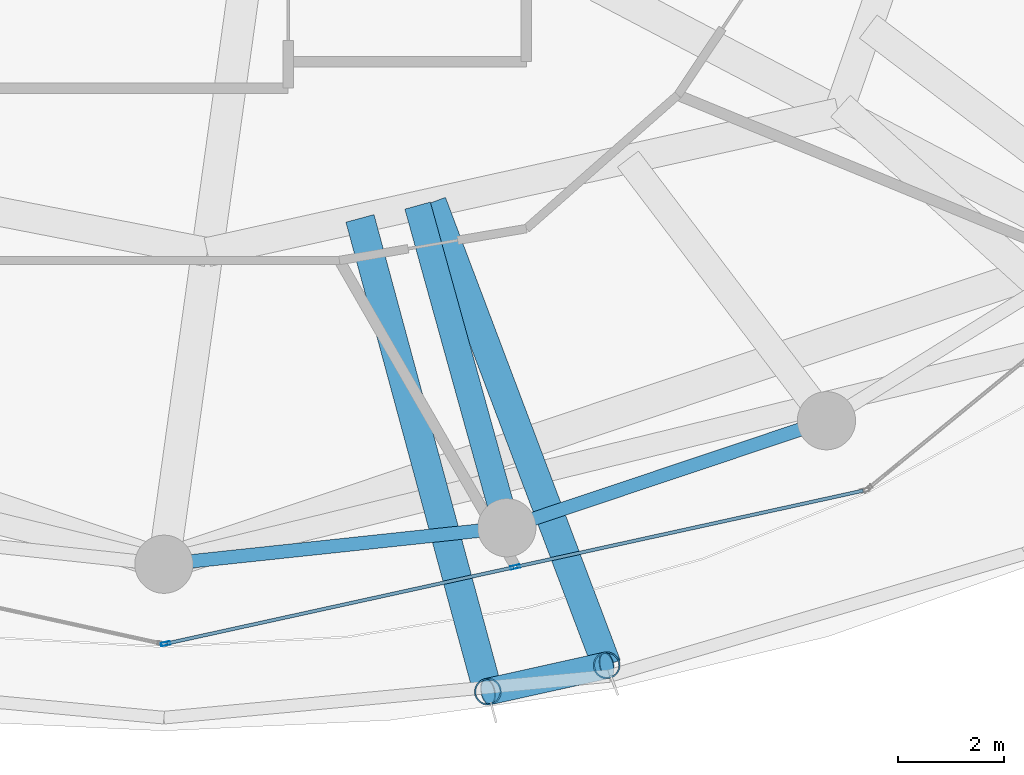
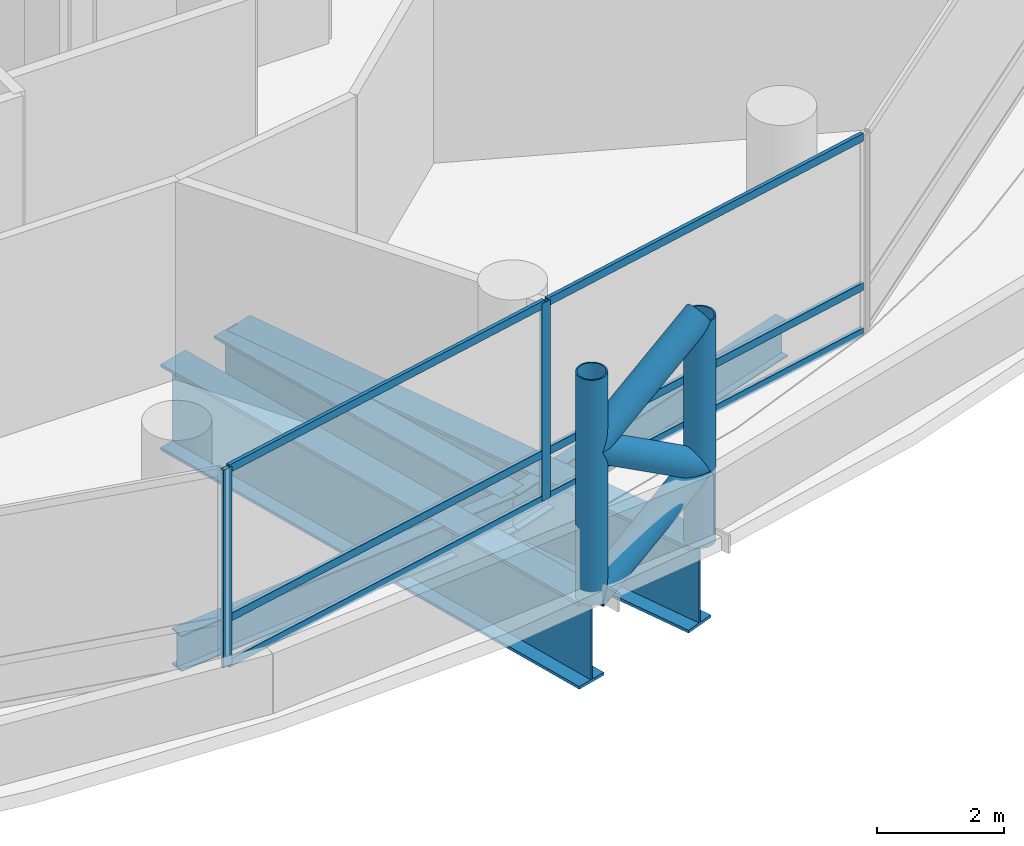
# One storey, part 10 of 37: 13 members, 5 beams, 1 element without a shape of its own.
"""IFC4 building model written with IfcOpenShell, lengths in metres."""

from ifc_helpers import new_model, si_unit, direction, frame, origin, origin_2d, place, context, subcontext, project, spatial, hollow_rectangle, hollow_circle, i_section, extrude, material, layer, layer_set, material_profile, profile_set, type_object, element, aggregate, save


model = new_model("IFC4")

# Units and contexts
model_context = context("Model", 3, precision=1e-05, world=origin(), true_north=direction((0.0, 1.0)))
body_context = subcontext(model_context, "Body", "Model", "MODEL_VIEW")
ifc_project = project(units=[si_unit("LENGTHUNIT", "METRE"), si_unit("AREAUNIT", "SQUARE_METRE"), si_unit("VOLUMEUNIT", "CUBIC_METRE"), si_unit("PLANEANGLEUNIT", "RADIAN"), si_unit("MASSUNIT", "GRAM", prefix="KILO")], contexts=[model_context])

# Site, building, storey
site_placement = place(None, origin())
site = spatial("IfcSite", under=ifc_project, at=site_placement, CompositionType="ELEMENT")
building_placement = place(site_placement, origin())
building = spatial("IfcBuilding", under=site, at=building_placement, Name="Nuhasar Tower", CompositionType="ELEMENT")
storey_placement = place(building_placement, frame((0.0, 0.0, 21.0)))
storey = spatial("IfcBuildingStorey", under=building, at=storey_placement, Name="L04", CompositionType="ELEMENT", Elevation=21.0)

# Beams
ifc_material_1 = material(Name="Steel S355", Category="steel")
ifc_material_profile_1 = material_profile(ifc_material_1, i_section(OverallWidth=0.256103515625, OverallDepth=0.693115234375, WebThickness=0.014404296875, FlangeThickness=0.023681640625, at=origin_2d()), Name="W27X114")
ifc_profile_set_1 = profile_set([ifc_material_profile_1], Name="Steel S355")
beam_type_1 = type_object("IfcBeamType", Name="BM-RING-W27X114", PredefinedType="SPANDREL", material=ifc_profile_set_1)
beam_1_placement = place(storey_placement, frame((39.0, 6.550048828125, -0.60693359375), z_axis=(0.994384554061, 0.105827022286, 0.0), x_axis=(-0.105827022286, 0.994384554061, 0.0)))
element("IfcBeam", 1, at=beam_1_placement, inside=storey, type_object=beam_type_1, Name="L04 Perimeter Ring Spandrel 19", PredefinedType="SPANDREL", context=body_context, shape_type="SweptSolid", body=[
    extrude(i_section(OverallWidth=0.256103515625, OverallDepth=0.693115234375, WebThickness=0.014404296875, FlangeThickness=0.023681640625, at=origin_2d()), origin(), (0.0, 0.0, 1.0), 6.51953125),
])
beam_2_placement = place(storey_placement, frame((45.48291015625, 7.239990234375, -0.60693359375), z_axis=(0.94826097201, 0.317491935271, 0.0), x_axis=(-0.317491935271, 0.94826097201, 0.0)))
element("IfcBeam", 2, at=beam_2_placement, inside=storey, type_object=beam_type_1, Name="L04 Perimeter Ring Spandrel 20", PredefinedType="SPANDREL", context=body_context, shape_type="SweptSolid", body=[
    extrude(i_section(OverallWidth=0.256103515625, OverallDepth=0.693115234375, WebThickness=0.014404296875, FlangeThickness=0.023681640625, at=origin_2d()), origin(), (0.0, 0.0, 1.0), 6.37158203125),
])
ifc_material_2 = material(Name="Steel S460", Category="steel")
ifc_material_profile_2 = material_profile(ifc_material_2, i_section(OverallWidth=0.5, OverallDepth=1.449951171875, WebThickness=0.028076171875, FlangeThickness=0.050048828125, at=origin_2d()), Name="PG1450X500")
ifc_profile_set_2 = profile_set([ifc_material_profile_2], Name="Steel S460")
beam_type_2 = type_object("IfcBeamType", Name="BM-XFER-PG1450", PredefinedType="USERDEFINED", material=ifc_profile_set_2)
beam_3_placement = place(storey_placement, frame((43.7958984375, 13.330078125, -0.985107421875), z_axis=(0.266956365785, -0.963708617149, 0.0), x_axis=(0.963708617149, 0.266956365785, 0.0)))
element("IfcBeam", 3, at=beam_3_placement, inside=storey, type_object=beam_type_2, Name="L04 Inner Column Transfer Girder 20", ObjectType="GIRDER", PredefinedType="USERDEFINED", context=body_context, shape_type="SweptSolid", body=[
    extrude(i_section(OverallWidth=0.5, OverallDepth=1.449951171875, WebThickness=0.028076171875, FlangeThickness=0.050048828125, at=origin_2d()), origin(), (0.0, 0.0, 1.0), 6.3193359375),
])
ifc_material_profile_3 = material_profile(ifc_material_2, i_section(OverallWidth=0.550048828125, OverallDepth=1.64990234375, WebThickness=0.031982421875, FlangeThickness=0.054931640625, at=origin_2d()), Name="PG1650X550")
ifc_profile_set_3 = profile_set([ifc_material_profile_3], Name="Steel S460")
beam_type_3 = type_object("IfcBeamType", Name="BM-XFER-PG1650", PredefinedType="USERDEFINED", material=ifc_profile_set_3)
beam_4_placement = place(storey_placement, frame((42.7060546875, 13.087890625, -1.0849609375), z_axis=(0.260901063057, -0.965365544908, 0.0), x_axis=(0.965365544908, 0.260901063057, 0.0)))
element("IfcBeam", 4, at=beam_4_placement, inside=storey, type_object=beam_type_3, Name="L04 Exoskeleton Base Transfer Girder 19", ObjectType="GIRDER", PredefinedType="USERDEFINED", context=body_context, shape_type="SweptSolid", body=[
    extrude(i_section(OverallWidth=0.550048828125, OverallDepth=1.64990234375, WebThickness=0.031982421875, FlangeThickness=0.054931640625, at=origin_2d()), origin(), (0.0, 0.0, 1.0), 9.267822265625),
])
beam_5_placement = place(storey_placement, frame((44.06494140625, 13.388916015625, -1.0849609375), z_axis=(0.353399553427, -0.935472477221, 0.0), x_axis=(0.935472477221, 0.353399553427, 0.0)))
element("IfcBeam", 5, at=beam_5_placement, inside=storey, type_object=beam_type_3, Name="L04 Exoskeleton Base Transfer Girder 20", ObjectType="GIRDER", PredefinedType="USERDEFINED", context=body_context, shape_type="SweptSolid", body=[
    extrude(i_section(OverallWidth=0.550048828125, OverallDepth=1.64990234375, WebThickness=0.031982421875, FlangeThickness=0.054931640625, at=origin_2d()), origin(), (0.0, 0.0, 1.0), 9.3525390625),
])

# Curtain wall, members
ifc_material_3 = material(Name="Aluminium 6063-T6", Category="aluminium")
ifc_layer = layer(ifc_material_3, 0.199951171875)
ifc_layer_set = layer_set([ifc_layer], Name="Aluminium 6063-T6")
curtain_wall_type = type_object("IfcCurtainWallType", Name="CW-Z1-OFF", PredefinedType="NOTDEFINED", material=ifc_layer_set)
curtain_wall_placement = place(storey_placement, origin())
curtain_wall = element("IfcCurtainWall", 6, at=curtain_wall_placement, inside=storey, type_object=curtain_wall_type, Name="L04 Unitised Curtain Wall 10", PredefinedType="NOTDEFINED")
ifc_material_profile_4 = material_profile(ifc_material_3, hollow_rectangle(XDim=0.06494140625, YDim=0.179931640625, WallThickness=0.0048828125, at=origin_2d()), Name="CWM-2")
ifc_profile_set_4 = profile_set([ifc_material_profile_4], Name="Aluminium 6063-T6")
member_type_1 = type_object("IfcMemberType", Name="CW-MUL-S2", PredefinedType="MULLION", material=ifc_profile_set_4)
member_1_placement = place(storey_placement, frame((39.03173828125, 5.046875, 0.0), z_axis=(0.0, 0.0, 1.0), x_axis=(-0.214398737637, 0.976746221544, 0.0)))
member_1 = element("IfcMember", 7, at=member_1_placement, type_object=member_type_1, Name="CW-Z1 mullion 1", PredefinedType="MULLION", context=body_context, shape_type="SweptSolid", body=[
    extrude(hollow_rectangle(XDim=0.06494140625, YDim=0.179931640625, WallThickness=0.0048828125, at=origin_2d()), origin(), (0.0, 0.0, 1.0), 3.7900390625),
])
member_2_placement = place(storey_placement, frame((45.639892578125, 6.49755859375, 0.0), z_axis=(0.0, 0.0, 1.0), x_axis=(-0.214398737637, 0.976746221544, 0.0)))
member_2 = element("IfcMember", 8, at=member_2_placement, type_object=member_type_1, Name="CW-Z1 mullion 2", PredefinedType="MULLION", context=body_context, shape_type="SweptSolid", body=[
    extrude(hollow_rectangle(XDim=0.06494140625, YDim=0.179931640625, WallThickness=0.0048828125, at=origin_2d()), origin(), (0.0, 0.0, 1.0), 3.7900390625),
])
ifc_material_profile_5 = material_profile(ifc_material_3, hollow_rectangle(XDim=0.06494140625, YDim=0.14990234375, WallThickness=0.00439453125, at=origin_2d()), Name="CWT-2")
ifc_profile_set_5 = profile_set([ifc_material_profile_5], Name="Aluminium 6063-T6")
member_type_2 = type_object("IfcMemberType", Name="CW-TRN-S2", PredefinedType="USERDEFINED", material=ifc_profile_set_5)
member_3_placement = place(storey_placement, frame((39.0634765625, 5.053955078125, 0.032470703125), z_axis=(0.976747879138, 0.214391185916, 0.0), x_axis=(-0.214391185916, 0.976747879138, 0.0)))
member_3 = element("IfcMember", 9, at=member_3_placement, type_object=member_type_2, Name="CW-Z1 transom 1.1", ObjectType="TRANSOM", PredefinedType="USERDEFINED", context=body_context, shape_type="SweptSolid", body=[
    extrude(hollow_rectangle(XDim=0.06494140625, YDim=0.14990234375, WallThickness=0.00439453125, at=origin_2d()), origin(), (0.0, 0.0, 1.0), 6.700439453125),
])
member_4_placement = place(storey_placement, frame((39.0634765625, 5.053955078125, 0.89990234375), z_axis=(0.976747879138, 0.214391185916, 0.0), x_axis=(-0.214391185916, 0.976747879138, 0.0)))
member_4 = element("IfcMember", 10, at=member_4_placement, type_object=member_type_2, Name="CW-Z1 transom 1.2", ObjectType="TRANSOM", PredefinedType="USERDEFINED", context=body_context, shape_type="SweptSolid", body=[
    extrude(hollow_rectangle(XDim=0.06494140625, YDim=0.14990234375, WallThickness=0.00439453125, at=origin_2d()), origin(), (0.0, 0.0, 1.0), 6.700439453125),
])
member_5_placement = place(storey_placement, frame((39.0634765625, 5.053955078125, 3.757568359375), z_axis=(0.976747879138, 0.214391185916, 0.0), x_axis=(-0.214391185916, 0.976747879138, 0.0)))
member_5 = element("IfcMember", 11, at=member_5_placement, type_object=member_type_2, Name="CW-Z1 transom 1.3", ObjectType="TRANSOM", PredefinedType="USERDEFINED", context=body_context, shape_type="SweptSolid", body=[
    extrude(hollow_rectangle(XDim=0.06494140625, YDim=0.14990234375, WallThickness=0.00439453125, at=origin_2d()), origin(), (0.0, 0.0, 1.0), 6.700439453125),
])
member_6_placement = place(storey_placement, frame((45.671630859375, 6.50439453125, 0.032470703125), z_axis=(0.976741923778, 0.214418316228, 0.0), x_axis=(-0.214418316228, 0.976741923778, 0.0)))
member_6 = element("IfcMember", 12, at=member_6_placement, type_object=member_type_2, Name="CW-Z1 transom 2.1", ObjectType="TRANSOM", PredefinedType="USERDEFINED", context=body_context, shape_type="SweptSolid", body=[
    extrude(hollow_rectangle(XDim=0.06494140625, YDim=0.14990234375, WallThickness=0.00439453125, at=origin_2d()), origin(), (0.0, 0.0, 1.0), 6.70068359375),
])
member_7_placement = place(storey_placement, frame((45.671630859375, 6.50439453125, 0.89990234375), z_axis=(0.976741923778, 0.214418316228, 0.0), x_axis=(-0.214418316228, 0.976741923778, 0.0)))
member_7 = element("IfcMember", 13, at=member_7_placement, type_object=member_type_2, Name="CW-Z1 transom 2.2", ObjectType="TRANSOM", PredefinedType="USERDEFINED", context=body_context, shape_type="SweptSolid", body=[
    extrude(hollow_rectangle(XDim=0.06494140625, YDim=0.14990234375, WallThickness=0.00439453125, at=origin_2d()), origin(), (0.0, 0.0, 1.0), 6.70068359375),
])
member_8_placement = place(storey_placement, frame((45.671630859375, 6.50439453125, 3.757568359375), z_axis=(0.976741923778, 0.214418316228, 0.0), x_axis=(-0.214418316228, 0.976741923778, 0.0)))
member_8 = element("IfcMember", 14, at=member_8_placement, type_object=member_type_2, Name="CW-Z1 transom 2.3", ObjectType="TRANSOM", PredefinedType="USERDEFINED", context=body_context, shape_type="SweptSolid", body=[
    extrude(hollow_rectangle(XDim=0.06494140625, YDim=0.14990234375, WallThickness=0.00439453125, at=origin_2d()), origin(), (0.0, 0.0, 1.0), 6.70068359375),
])
aggregate(curtain_wall, [member_1, member_2, member_3, member_4, member_5, member_6, member_7, member_8])

# Members
ifc_material_profile_6 = material_profile(ifc_material_2, hollow_circle(Radius=0.25390625, WallThickness=0.025390625, at=origin_2d()), Name="HSS508X25.4")
ifc_profile_set_6 = profile_set([ifc_material_profile_6], Name="Steel S460")
member_type_3 = type_object("IfcMemberType", Name="EXO-BRONZE-508", PredefinedType="BRACE", material=ifc_profile_set_6)
for number, where, z_axis, x_axis, name in (
    (15, (45.1240234375, 4.14111328125, -0.260009765625), (0.0, 0.0, 1.0), (1.0, 0.0, 0.0), "L04 Exoskeleton Chord Column EC-10A"),
    (16, (47.3701171875, 4.639892578125, -0.260009765625), (0.0, 0.0, 1.0), (1.0, 0.0, 0.0), "L04 Exoskeleton Chord Column EC-10B"),
):
    element("IfcMember", number, at=place(storey_placement, frame(where, z_axis=z_axis, x_axis=x_axis)), inside=storey, type_object=member_type_3, Name=name, PredefinedType="BRACE", context=body_context, shape_type="SweptSolid", body=[
        extrude(hollow_circle(Radius=0.25390625, WallThickness=0.025390625, at=origin_2d()), origin(), (0.0, 0.0, 1.0), 4.31005859375),
    ])
member_9_placement = place(storey_placement, frame((45.1240234375, 4.14111328125, -0.260009765625), z_axis=(0.827993109263, 0.183868469807, 0.529735591426), x_axis=(-0.216784396973, 0.976219506683, 0.0)))
element("IfcMember", 17, at=member_9_placement, inside=storey, type_object=member_type_3, Name="L04 Bronze Diagrid Brace W1-10", PredefinedType="BRACE", context=body_context, shape_type="SweptSolid", body=[
    extrude(hollow_circle(Radius=0.25390625, WallThickness=0.025390625, at=origin_2d()), origin(), (0.0, 0.0, 1.0), 2.712646484375),
])
member_10_placement = place(storey_placement, frame((47.3701171875, 4.639892578125, 1.177001953125), z_axis=(-0.828151001719, -0.18390353223, 0.529476542621), x_axis=(0.216784396973, -0.976219506683, 0.0)))
element("IfcMember", 18, at=member_10_placement, inside=storey, type_object=member_type_3, Name="L04 Bronze Diagrid Brace W2-10", PredefinedType="BRACE", context=body_context, shape_type="SweptSolid", body=[
    extrude(hollow_circle(Radius=0.25390625, WallThickness=0.025390625, at=origin_2d()), origin(), (0.0, 0.0, 1.0), 2.712158203125),
])
member_11_placement = place(storey_placement, frame((45.1240234375, 4.14111328125, 2.613037109375), z_axis=(0.827993109263, 0.183868469807, 0.529735591426), x_axis=(-0.216784396973, 0.976219506683, 0.0)))
element("IfcMember", 19, at=member_11_placement, inside=storey, type_object=member_type_3, Name="L04 Bronze Diagrid Brace W3-10", PredefinedType="BRACE", context=body_context, shape_type="SweptSolid", body=[
    extrude(hollow_circle(Radius=0.25390625, WallThickness=0.025390625, at=origin_2d()), origin(), (0.0, 0.0, 1.0), 2.712646484375),
])

save(model, "model.ifc")
